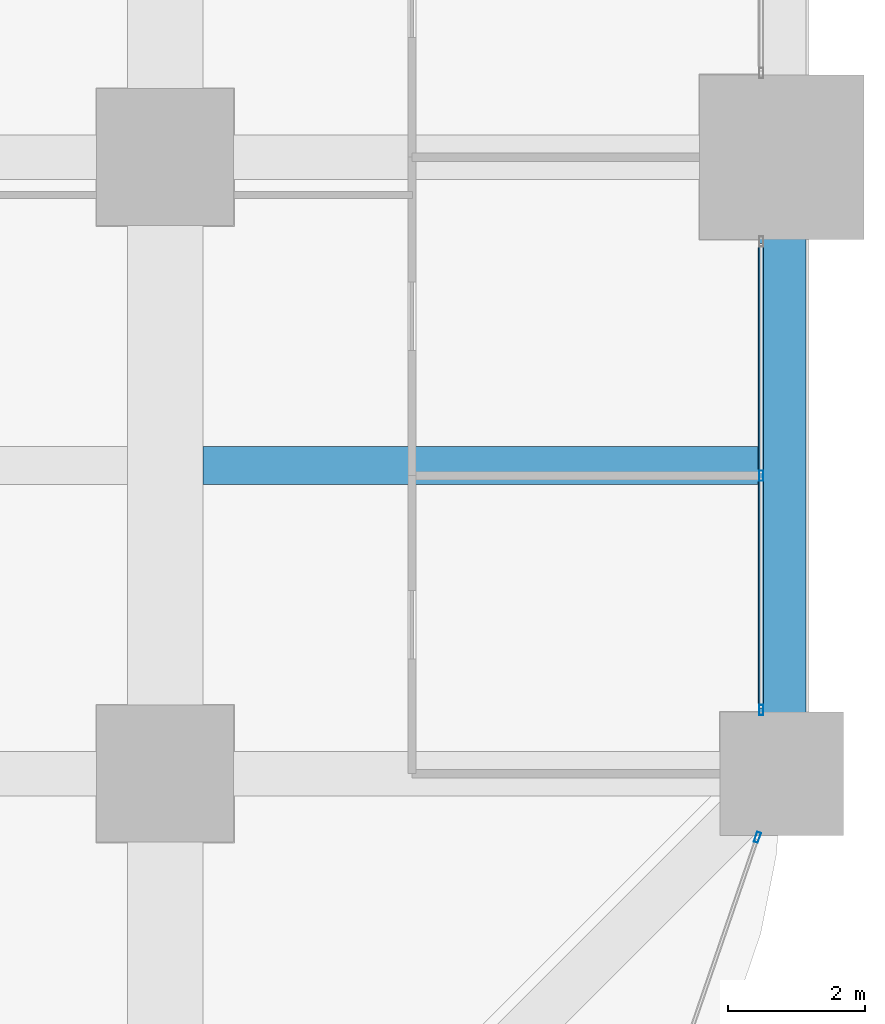
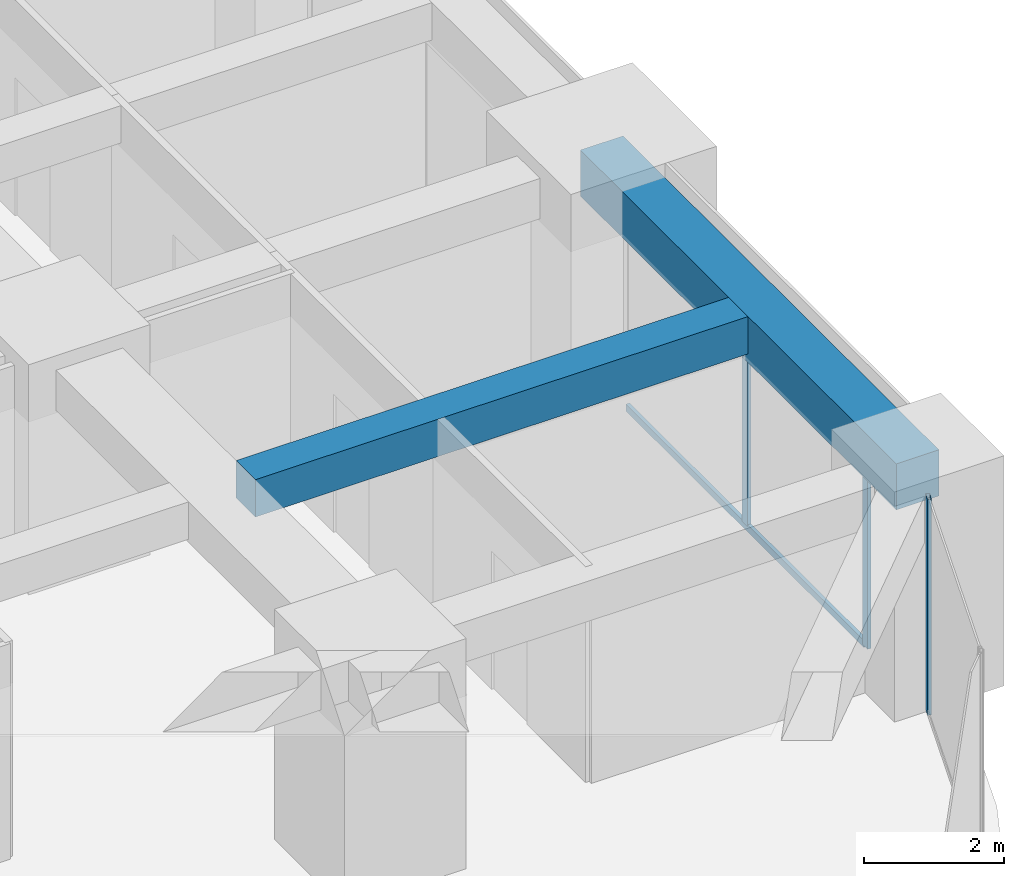
# One storey, part 19 of 41: 4 members, 2 beams, 2 elements without a shape of their own.
"""IFC4 building model written with IfcOpenShell, lengths in metres."""

from ifc_helpers import new_model, si_unit, direction, frame, origin, origin_2d, place, context, subcontext, project, spatial, rectangle, hollow_rectangle, extrude, material, material_profile, profile_set, type_object, element, aggregate, save


model = new_model("IFC4")

# Units and contexts
model_context = context("Model", 3, precision=1e-05, world=origin(), true_north=direction((0.0, 1.0)))
body_context = subcontext(model_context, "Body", "Model", "MODEL_VIEW")
ifc_project = project(units=[si_unit("LENGTHUNIT", "METRE"), si_unit("AREAUNIT", "SQUARE_METRE"), si_unit("VOLUMEUNIT", "CUBIC_METRE"), si_unit("PLANEANGLEUNIT", "RADIAN"), si_unit("MASSUNIT", "GRAM", prefix="KILO")], contexts=[model_context])

# Site, building, storey
site_placement = place(None, origin())
site = spatial("IfcSite", under=ifc_project, at=site_placement, CompositionType="ELEMENT")
building_placement = place(site_placement, origin())
building = spatial("IfcBuilding", under=site, at=building_placement, Name="Zorevar Civic Tower", CompositionType="ELEMENT")
storey_placement = place(building_placement, frame((0.0, 0.0, 113.0)))
storey = spatial("IfcBuildingStorey", under=building, at=storey_placement, Name="L27", CompositionType="ELEMENT", Elevation=113.0)

# Beam
ifc_material_1 = material(Name="Concrete C50/60", Category="concrete")
ifc_material_profile_1 = material_profile(ifc_material_1, rectangle(XDim=0.550048828125, YDim=0.64990234375, at=origin_2d()), Name="RC 550x650")
ifc_profile_set_1 = profile_set([ifc_material_profile_1], Name="Concrete C50/60")
beam_type_1 = type_object("IfcBeamType", Name="Beam RC 550x650", PredefinedType="BEAM", material=ifc_profile_set_1)
beam_1_placement = place(storey_placement, frame((54.550048828125, 13.5, 3.425048828125), z_axis=(1.0, 0.0, 0.0), x_axis=(0.0, 1.0, 0.0)))
element("IfcBeam", 1, at=beam_1_placement, inside=storey, type_object=beam_type_1, Name="Secondary beam L28", PredefinedType="BEAM", context=body_context, shape_type="SweptSolid", body=[
    extrude(rectangle(XDim=0.550048828125, YDim=0.64990234375, at=origin_2d()), origin(), (0.0, 0.0, 1.0), 8.099853515625),
])

# Curtain wall, members
ifc_material_2 = material(Name="Dark grey solar-control glass in black aluminium frame", Category="aluminium")
curtain_wall_type = type_object("IfcCurtainWallType", Name="Curtain wall CW3 mid zone", PredefinedType="NOTDEFINED", material=ifc_material_2)
curtain_wall_1_placement = place(storey_placement, origin())
curtain_wall_1 = element("IfcCurtainWall", 2, at=curtain_wall_1_placement, inside=storey, type_object=curtain_wall_type, Name="CW3 L27", PredefinedType="NOTDEFINED")
ifc_material_3 = material(Name="Aluminium, black anodised", Category="aluminium")
ifc_material_profile_2 = material_profile(ifc_material_3, hollow_rectangle(XDim=0.06005859375, YDim=0.14990234375, WallThickness=0.00390625, at=origin_2d()), Name="AL 150x60x4")
ifc_profile_set_2 = profile_set([ifc_material_profile_2], Name="Aluminium, black anodised")
member_type_1 = type_object("IfcMemberType", Name="CW3 mullion AL 150x60x4", PredefinedType="MULLION", material=ifc_profile_set_2)
member_1_placement = place(storey_placement, frame((62.699951171875, 9.929931640625, 0.0), z_axis=(0.0, 0.0, 1.0), x_axis=(-1.0, 0.0, 0.0)))
member_1 = element("IfcMember", 3, at=member_1_placement, type_object=member_type_1, Name="CW3 mullion 1", PredefinedType="MULLION", context=body_context, shape_type="SweptSolid", body=[
    extrude(hollow_rectangle(XDim=0.06005859375, YDim=0.14990234375, WallThickness=0.00390625, at=origin_2d()), origin(), (0.0, 0.0, 1.0), 2.949951171875),
])
member_2_placement = place(storey_placement, frame((62.699951171875, 13.35009765625, 0.06005859375), z_axis=(0.0, 0.0, 1.0), x_axis=(-1.0, 0.0, 0.0)))
member_2 = element("IfcMember", 4, at=member_2_placement, type_object=member_type_1, Name="CW3 mullion 2", PredefinedType="MULLION", context=body_context, shape_type="SweptSolid", body=[
    extrude(hollow_rectangle(XDim=0.06005859375, YDim=0.14990234375, WallThickness=0.00390625, at=origin_2d()), origin(), (0.0, 0.0, 1.0), 2.889892578125),
])

# Curtain wall, member
curtain_wall_2_placement = place(storey_placement, origin())
curtain_wall_2 = element("IfcCurtainWall", 5, at=curtain_wall_2_placement, inside=storey, type_object=curtain_wall_type, Name="CW3 L27", PredefinedType="NOTDEFINED")
member_3_placement = place(storey_placement, frame((62.6435546875, 8.071533203125, 0.0), z_axis=(0.0, 0.0, 1.0), x_axis=(-0.945755772794, 0.324878466857, 0.0)))
member_3 = element("IfcMember", 6, at=member_3_placement, type_object=member_type_1, Name="CW3 mullion 2", PredefinedType="MULLION", context=body_context, shape_type="SweptSolid", body=[
    extrude(hollow_rectangle(XDim=0.06005859375, YDim=0.14990234375, WallThickness=0.00390625, at=origin_2d()), origin(), (0.0, 0.0, 1.0), 3.75),
])
aggregate(curtain_wall_2, [member_3])

# Member
ifc_material_4 = material(Name="Aluminium, black anodised", Category="aluminium")
ifc_material_profile_3 = material_profile(ifc_material_4, hollow_rectangle(XDim=0.06005859375, YDim=0.1201171875, WallThickness=0.0029296875, at=origin_2d()), Name="AL 120x60x3")
ifc_profile_set_3 = profile_set([ifc_material_profile_3], Name="Aluminium, black anodised")
member_type_2 = type_object("IfcMemberType", Name="CW3 transom AL 120x60x3", PredefinedType="USERDEFINED", material=ifc_profile_set_3)
member_4_placement = place(storey_placement, frame((62.699951171875, 9.9599609375, 0.030029296875), z_axis=(0.0, 1.0, 0.0), x_axis=(-1.0, 0.0, 0.0)))
member_4 = element("IfcMember", 7, at=member_4_placement, type_object=member_type_2, Name="CW3 sill transom", ObjectType="TRANSOM", PredefinedType="USERDEFINED", context=body_context, shape_type="SweptSolid", body=[
    extrude(hollow_rectangle(XDim=0.06005859375, YDim=0.1201171875, WallThickness=0.0029296875, at=origin_2d()), origin(), (0.0, 0.0, 1.0), 6.780029296875),
])

aggregate(curtain_wall_1, [member_1, member_2, member_4])

# Beam
ifc_material_5 = material(Name="Concrete C50/60", Category="concrete")
ifc_material_profile_4 = material_profile(ifc_material_5, rectangle(XDim=0.699951171875, YDim=0.800048828125, at=origin_2d()), Name="RC 700x800")
ifc_profile_set_4 = profile_set([ifc_material_profile_4], Name="Concrete C50/60")
beam_type_2 = type_object("IfcBeamType", Name="Edge beam RC 700x800", PredefinedType="SPANDREL", material=ifc_profile_set_4)
beam_2_placement = place(storey_placement, frame((63.0, 9.0, 3.35009765625), z_axis=(0.0, 1.0, 0.0), x_axis=(-1.0, 0.0, 0.0)))
element("IfcBeam", 8, at=beam_2_placement, inside=storey, type_object=beam_type_2, Name="Edge beam L28", PredefinedType="SPANDREL", context=body_context, shape_type="SweptSolid", body=[
    extrude(rectangle(XDim=0.699951171875, YDim=0.800048828125, at=origin_2d()), origin(), (0.0, 0.0, 1.0), 9.0),
])

save(model, "model.ifc")
